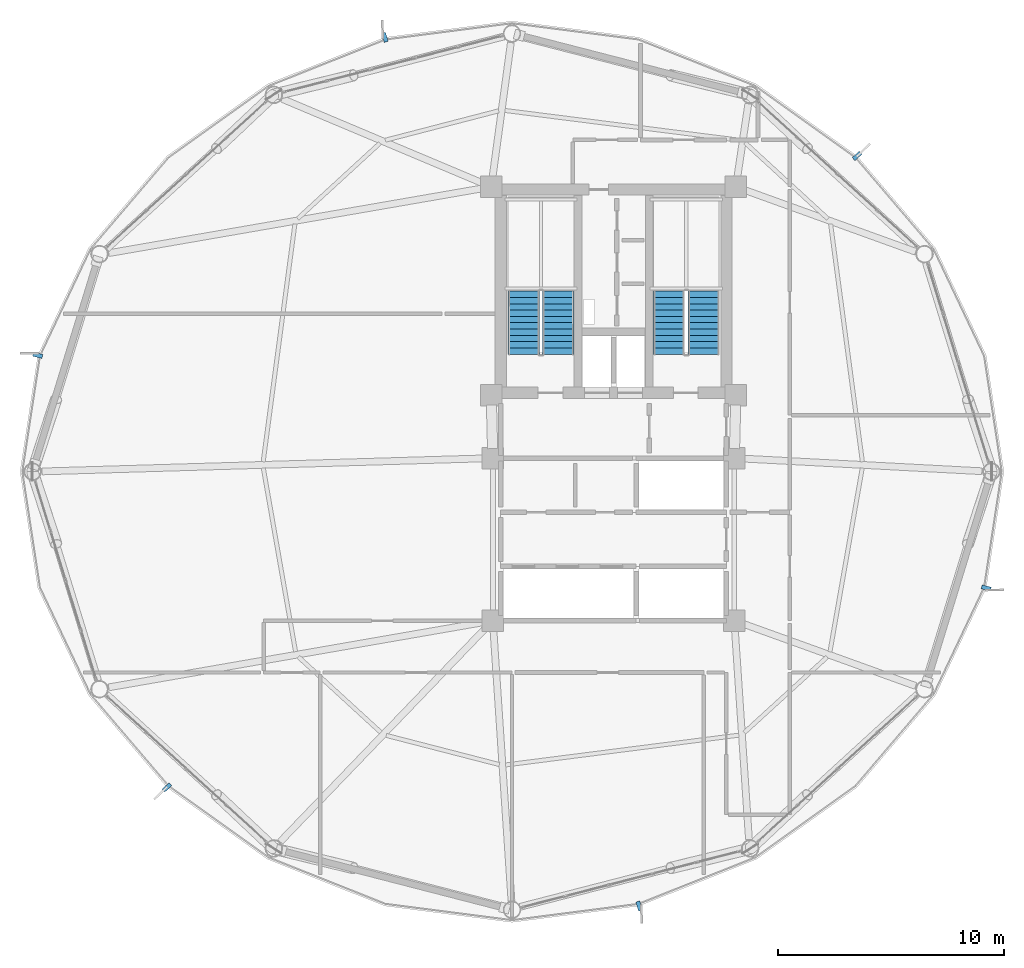
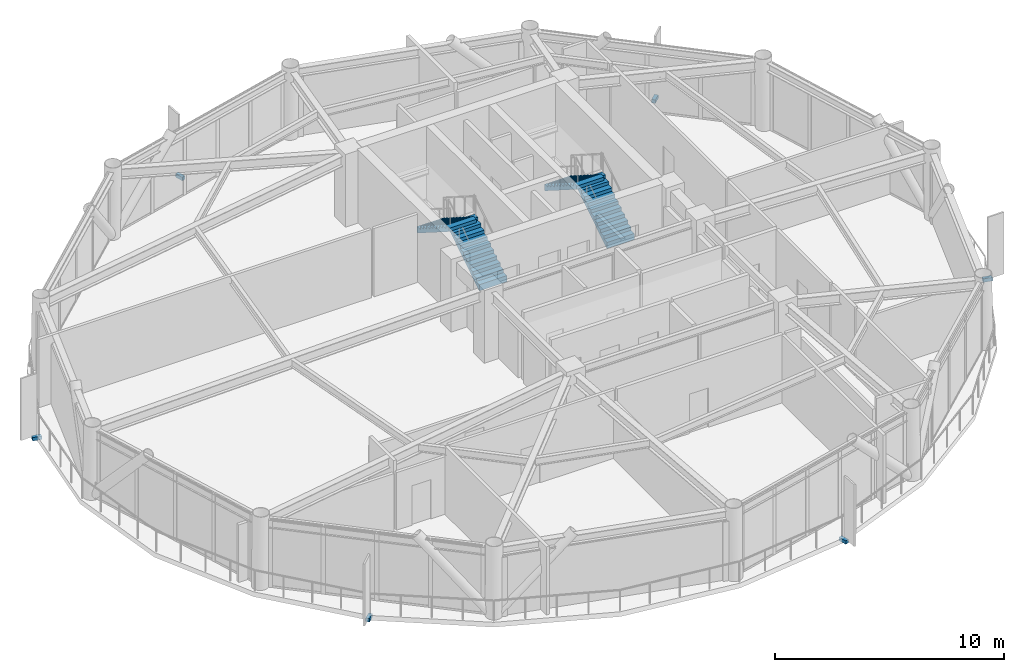
# One storey, part 22 of 25: 6 discrete accessories, 4 stair flights, 2 elements without a shape of their own.
"""IFC4 building model written with IfcOpenShell, lengths in metres."""

from ifc_helpers import new_model, si_unit, direction, frame, origin, origin_2d, place, context, subcontext, project, spatial, polyline, rectangle, outline, extrude, source, transform, mapped, material, type_object, type_shapes, element, aggregate, save


model = new_model("IFC4")

# Units and contexts
model_context = context("Model", 3, precision=1e-05, world=origin(), true_north=direction((0.0, 1.0)))
body_context = subcontext(model_context, "Body", "Model", "MODEL_VIEW")
ifc_project = project(units=[si_unit("LENGTHUNIT", "METRE"), si_unit("AREAUNIT", "SQUARE_METRE"), si_unit("VOLUMEUNIT", "CUBIC_METRE"), si_unit("PLANEANGLEUNIT", "RADIAN"), si_unit("MASSUNIT", "GRAM", prefix="KILO")], contexts=[model_context])

# Site, building, storey
site_placement = place(None, origin())
site = spatial("IfcSite", under=ifc_project, at=site_placement, CompositionType="ELEMENT")
building_placement = place(site_placement, origin())
building = spatial("IfcBuilding", under=site, at=building_placement, Name="Varnakorn Sky Granary", CompositionType="ELEMENT")
storey_placement = place(building_placement, frame((0.0, 0.0, 122.699951171875)))
storey = spatial("IfcBuildingStorey", under=building, at=storey_placement, Name="L30", CompositionType="ELEMENT", Elevation=122.699951171875)

# Stair, stair flights
ifc_material_1 = material(Name="Concrete C40/50", Category="concrete")
stair_type = type_object("IfcStairType", Name="ST-MAIN-ASSEMBLY", PredefinedType="HALF_TURN_STAIR", material=ifc_material_1)
stair_1_placement = place(storey_placement, origin())
stair_1 = element("IfcStair", 1, at=stair_1_placement, inside=storey, type_object=stair_type, Name="L30 Protected Exit Stair ST-1", PredefinedType="HALF_TURN_STAIR")
stair_flight_type = type_object("IfcStairFlightType", Name="ST-MAIN-FLIGHT", PredefinedType="STRAIGHT", material=ifc_material_1)
stair_flight_1_placement = place(storey_placement, frame((0.550048828125, 5.199951171875, 0.0), z_axis=(0.0, 0.0, 1.0), x_axis=(0.0, 1.0, 0.0)))
stair_flight_1 = element("IfcStairFlight", 2, at=stair_flight_1_placement, type_object=stair_flight_type, Name="ST-1 flight 1", NumberOfRisers=11, NumberOfTreads=10, PredefinedType="STRAIGHT", RiserHeight=0.177272727, TreadLength=0.28, context=body_context, shape_type="SweptSolid", body=[
    extrude(outline(polyline([(0.0, -0.14990234375), (0.0, 0.0), (0.0, 0.17724609375), (0.280029296875, 0.17724609375), (0.280029296875, 0.3544921875), (0.56005859375, 0.3544921875), (0.56005859375, 0.53173828125), (0.840087890625, 0.53173828125), (0.840087890625, 0.708984375), (1.1201171875, 0.708984375), (1.1201171875, 0.886474609375), (1.39990234375, 0.886474609375), (1.39990234375, 1.063720703125), (1.679931640625, 1.063720703125), (1.679931640625, 1.240966796875), (1.9599609375, 1.240966796875), (1.9599609375, 1.418212890625), (2.239990234375, 1.418212890625), (2.239990234375, 1.595458984375), (2.52001953125, 1.595458984375), (2.52001953125, 1.772705078125), (2.800048828125, 1.772705078125), (2.800048828125, 1.949951171875), (2.800048828125, 1.59521484375), (0.050048828125, -0.14990234375), (0.0, -0.14990234375)])), frame((0.0, 0.68994140625, 0.0), z_axis=(0.0, -1.0, 0.0), x_axis=(1.0, 0.0, 0.0)), (0.0, 0.0, 1.0), 1.3798828125),
])
stair_flight_2_placement = place(storey_placement, frame((-0.97998046875, 8.0, 1.949951171875), z_axis=(0.0, 0.0, 1.0), x_axis=(0.0, -1.0, 0.0)))
stair_flight_2 = element("IfcStairFlight", 3, at=stair_flight_2_placement, type_object=stair_flight_type, Name="ST-1 flight 2", NumberOfRisers=11, NumberOfTreads=10, PredefinedType="STRAIGHT", RiserHeight=0.177272727, TreadLength=0.28, context=body_context, shape_type="SweptSolid", body=[
    extrude(outline(polyline([(0.0, -0.14990234375), (0.0, 0.0), (0.0, 0.17724609375), (0.280029296875, 0.17724609375), (0.280029296875, 0.3544921875), (0.56005859375, 0.3544921875), (0.56005859375, 0.53173828125), (0.840087890625, 0.53173828125), (0.840087890625, 0.708984375), (1.1201171875, 0.708984375), (1.1201171875, 0.886474609375), (1.39990234375, 0.886474609375), (1.39990234375, 1.063720703125), (1.679931640625, 1.063720703125), (1.679931640625, 1.240966796875), (1.9599609375, 1.240966796875), (1.9599609375, 1.418212890625), (2.239990234375, 1.418212890625), (2.239990234375, 1.595458984375), (2.52001953125, 1.595458984375), (2.52001953125, 1.772705078125), (2.800048828125, 1.772705078125), (2.800048828125, 1.949951171875), (2.800048828125, 1.59521484375), (0.050048828125, -0.14990234375), (0.0, -0.14990234375)])), frame((0.0, 0.68994140625, 0.0), z_axis=(0.0, -1.0, 0.0), x_axis=(1.0, 0.0, 0.0)), (0.0, 0.0, 1.0), 1.3798828125),
])
aggregate(stair_1, [stair_flight_1, stair_flight_2])

stair_2_placement = place(storey_placement, origin())
stair_2 = element("IfcStair", 4, at=stair_2_placement, inside=storey, type_object=stair_type, Name="L30 Protected Exit Stair ST-2", PredefinedType="HALF_TURN_STAIR")
stair_flight_3_placement = place(storey_placement, frame((6.989990234375, 5.199951171875, 0.0), z_axis=(0.0, 0.0, 1.0), x_axis=(0.0, 1.0, 0.0)))
stair_flight_3 = element("IfcStairFlight", 5, at=stair_flight_3_placement, type_object=stair_flight_type, Name="ST-2 flight 1", NumberOfRisers=11, NumberOfTreads=10, PredefinedType="STRAIGHT", RiserHeight=0.177272727, TreadLength=0.28, context=body_context, shape_type="SweptSolid", body=[
    extrude(outline(polyline([(0.0, -0.14990234375), (0.0, 0.0), (0.0, 0.17724609375), (0.280029296875, 0.17724609375), (0.280029296875, 0.3544921875), (0.56005859375, 0.3544921875), (0.56005859375, 0.53173828125), (0.840087890625, 0.53173828125), (0.840087890625, 0.708984375), (1.1201171875, 0.708984375), (1.1201171875, 0.886474609375), (1.39990234375, 0.886474609375), (1.39990234375, 1.063720703125), (1.679931640625, 1.063720703125), (1.679931640625, 1.240966796875), (1.9599609375, 1.240966796875), (1.9599609375, 1.418212890625), (2.239990234375, 1.418212890625), (2.239990234375, 1.595458984375), (2.52001953125, 1.595458984375), (2.52001953125, 1.772705078125), (2.800048828125, 1.772705078125), (2.800048828125, 1.949951171875), (2.800048828125, 1.59521484375), (0.050048828125, -0.14990234375), (0.0, -0.14990234375)])), frame((0.0, 0.68994140625, 0.0), z_axis=(0.0, -1.0, 0.0), x_axis=(1.0, 0.0, 0.0)), (0.0, 0.0, 1.0), 1.3798828125),
])
stair_flight_4_placement = place(storey_placement, frame((5.4599609375, 8.0, 1.949951171875), z_axis=(0.0, 0.0, 1.0), x_axis=(0.0, -1.0, 0.0)))
stair_flight_4 = element("IfcStairFlight", 6, at=stair_flight_4_placement, type_object=stair_flight_type, Name="ST-2 flight 2", NumberOfRisers=11, NumberOfTreads=10, PredefinedType="STRAIGHT", RiserHeight=0.177272727, TreadLength=0.28, context=body_context, shape_type="SweptSolid", body=[
    extrude(outline(polyline([(0.0, -0.14990234375), (0.0, 0.0), (0.0, 0.17724609375), (0.280029296875, 0.17724609375), (0.280029296875, 0.3544921875), (0.56005859375, 0.3544921875), (0.56005859375, 0.53173828125), (0.840087890625, 0.53173828125), (0.840087890625, 0.708984375), (1.1201171875, 0.708984375), (1.1201171875, 0.886474609375), (1.39990234375, 0.886474609375), (1.39990234375, 1.063720703125), (1.679931640625, 1.063720703125), (1.679931640625, 1.240966796875), (1.9599609375, 1.240966796875), (1.9599609375, 1.418212890625), (2.239990234375, 1.418212890625), (2.239990234375, 1.595458984375), (2.52001953125, 1.595458984375), (2.52001953125, 1.772705078125), (2.800048828125, 1.772705078125), (2.800048828125, 1.949951171875), (2.800048828125, 1.59521484375), (0.050048828125, -0.14990234375), (0.0, -0.14990234375)])), frame((0.0, 0.68994140625, 0.0), z_axis=(0.0, -1.0, 0.0), x_axis=(1.0, 0.0, 0.0)), (0.0, 0.0, 1.0), 1.3798828125),
])
aggregate(stair_2, [stair_flight_3, stair_flight_4])

# Discrete accessories
ifc_material_2 = material(Name="Steel S355JR", Category="steel")
discrete_accessory_type = type_object("IfcDiscreteAccessoryType", Name="AC-BRK-01", PredefinedType="BRACKET", material=ifc_material_2)
shared_shape = source(origin(), body_context, "Body", "SweptSolid", [
    extrude(rectangle(XDim=0.179931640625, YDim=0.419921875, at=origin_2d()), origin(), (0.0, 0.0, 1.0), 0.179931640625),
])
type_shapes(discrete_accessory_type, [shared_shape])
for number, where, z_axis, x_axis, name in (
    (7, (13.791259765625, 13.990478515625, -0.19970703125), (0.0, 0.0, 1.0), (-0.675028132158, 0.737791990194, 0.0), "Facade Solar-Screen Outrigger Bracket L30-02"),
    (8, (-7.13330078125, 19.246337890625, -0.19970703125), (0.0, 0.0, 1.0), (-0.959733976397, -0.280910474261, 0.0), "Facade Solar-Screen Outrigger Bracket L30-04"),
    (9, (-22.514404296875, 5.15478515625, -0.19970703125), (0.0, 0.0, 1.0), (-0.238235754048, -0.97120735453, 0.0), "Facade Solar-Screen Outrigger Bracket L30-06"),
    (10, (-16.791259765625, -13.990478515625, -0.19970703125), (0.0, 0.0, 1.0), (0.675028132158, -0.737791990194, 0.0), "Facade Solar-Screen Outrigger Bracket L30-08"),
    (11, (4.13330078125, -19.246337890625, -0.19970703125), (0.0, 0.0, 1.0), (0.959733976397, 0.280910474261, 0.0), "Facade Solar-Screen Outrigger Bracket L30-10"),
    (12, (19.514404296875, -5.15478515625, -0.19970703125), (0.0, 0.0, 1.0), (0.238235754048, 0.97120735453, 0.0), "Facade Solar-Screen Outrigger Bracket L30-12"),
):
    element("IfcDiscreteAccessory", number, at=place(storey_placement, frame(where, z_axis=z_axis, x_axis=x_axis)), inside=storey, type_object=discrete_accessory_type, Name=name, PredefinedType="BRACKET", context=body_context, shape_type="MappedRepresentation", body=[
        mapped(shared_shape, transform((0.0, 0.0, 0.0), x_axis=(1.0, 0.0, 0.0), y_axis=(0.0, 1.0, 0.0), z_axis=(0.0, 0.0, 1.0), scale=1.0)),
    ])

save(model, "model.ifc")
